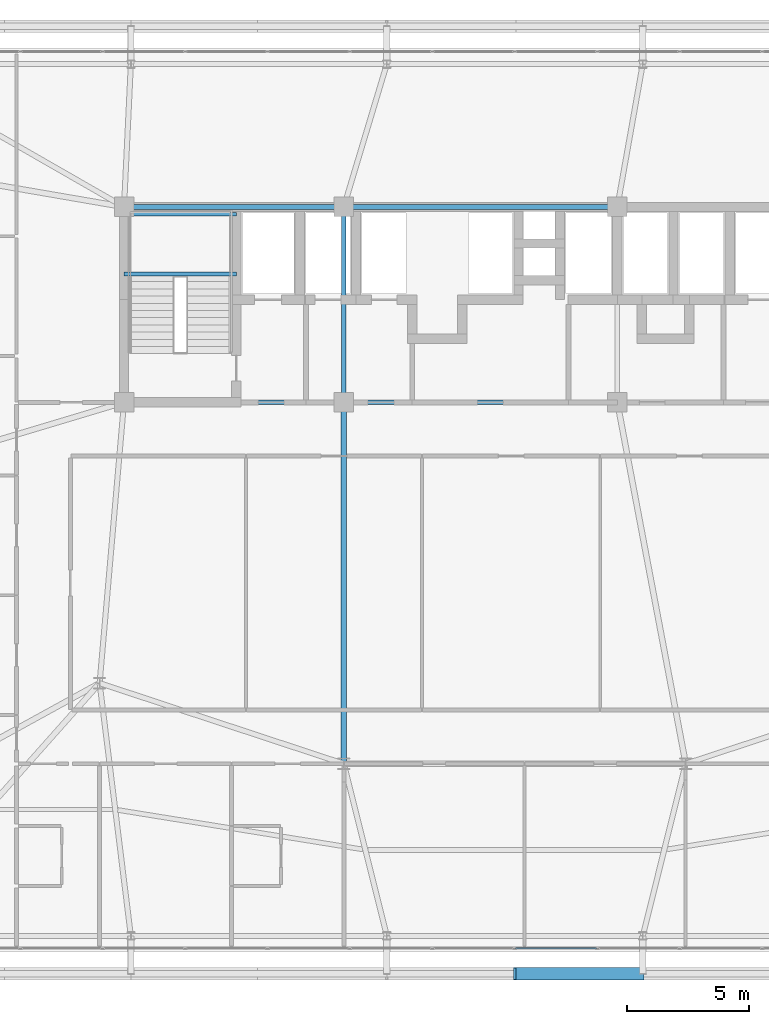
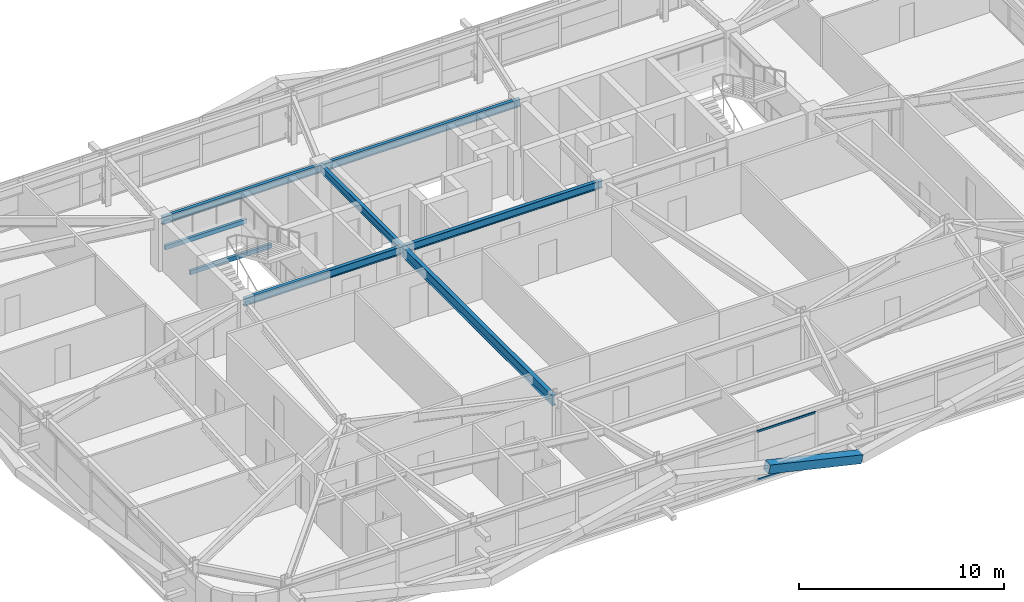
# One storey, part 19 of 58: 8 beams, 3 members, 1 element without a shape of its own.
"""IFC4 building model written with IfcOpenShell, lengths in metres."""

import ifcopenshell
import ifcopenshell.guid

model = None  # the IFC model being written
_history = None  # IfcOwnerHistory: only IFC2X3 demands one
_inside = {}  # id of a spatial element -> (the spatial element, [elements in it])
_under = {}  # id of a project, library or spatial element -> (it, [spatial elements below it])
_declared = {}  # id of a project -> (the project, [libraries it declares])
_typed = {}  # id of a type object -> (the type object, [elements of that type])
_made_of = {}  # id of a material, layer set ... -> (it, [elements and type objects made of it])


def new_model(schema):
    """Start an empty IFC model of exactly this schema.

    Asked for "IFC4X3", IfcOpenShell would pick the latest addendum, in which some entities
    have other attributes; the version numbers below select the first issue.
    IFC2X3 requires an IfcOwnerHistory on every rooted entity: one is made here for all.
    """
    global model, _history
    if schema == "IFC4X3":
        model = ifcopenshell.file(schema_version=(4, 3, 0, 0))
    else:
        model = ifcopenshell.file(schema=schema)
    _inside.clear()
    _under.clear()
    _declared.clear()
    _typed.clear()
    _made_of.clear()
    _history = None
    if model.schema == "IFC2X3":
        org = make("IfcOrganization", Name="unknown")
        user = make(
            "IfcPersonAndOrganization",
            ThePerson=make("IfcPerson", FamilyName="unknown"),
            TheOrganization=org,
        )
        app = make(
            "IfcApplication",
            ApplicationDeveloper=org,
            Version="unknown",
            ApplicationFullName="unknown",
            ApplicationIdentifier="unknown",
        )
        _history = make(
            "IfcOwnerHistory",
            OwningUser=user,
            OwningApplication=app,
            ChangeAction="ADDED",
            CreationDate=0,
        )
    return model


def make(cls, **values):
    """One entity of the class cls with the attributes given. An attribute that is None is left unset."""
    return model.create_entity(
        cls, **{name: value for name, value in values.items() if value is not None}
    )


def rooted(cls, **values):
    """An entity with a GlobalId (a new one), such as an element, a storey or a relation."""
    return make(cls, GlobalId=ifcopenshell.guid.new(), OwnerHistory=_history, **values)


def si_unit(unit_type, name, prefix=None):
    """IfcSIUnit, for example si_unit("LENGTHUNIT", "METRE", prefix="MILLI")."""
    return make("IfcSIUnit", UnitType=unit_type, Prefix=prefix, Name=name)


def assignment(units):
    """IfcUnitAssignment: the units of a project."""
    return None if units is None else make("IfcUnitAssignment", Units=units)


def point(xyz):
    """IfcCartesianPoint."""
    return None if xyz is None else make("IfcCartesianPoint", Coordinates=xyz)


def direction(xyz):
    """IfcDirection."""
    return None if xyz is None else make("IfcDirection", DirectionRatios=xyz)


def frame(location, z_axis=None, x_axis=None):
    """IfcAxis2Placement3D, a coordinate frame: its origin and axes. An axis left out is left unset."""
    return make(
        "IfcAxis2Placement3D",
        Location=point(location),
        Axis=direction(z_axis),
        RefDirection=direction(x_axis),
    )


def frame_2d(location, x_axis=None):
    """IfcAxis2Placement2D, a coordinate frame in the plane: its origin and x axis."""
    return make(
        "IfcAxis2Placement2D", Location=point(location), RefDirection=direction(x_axis)
    )


def origin():
    """The frame at (0, 0, 0) with its axes left unset."""
    return frame((0.0, 0.0, 0.0))


def origin_2d():
    """The frame at (0, 0) in the plane with its x axis left unset."""
    return frame_2d((0.0, 0.0))


def place(relative_to, where):
    """IfcLocalPlacement: puts the frame where relative to a parent placement (None: the world)."""
    return make(
        "IfcLocalPlacement", PlacementRelTo=relative_to, RelativePlacement=where
    )


def context(
    kind, dimensions, precision=None, world=None, true_north=None, identifier=None
):
    """IfcGeometricRepresentationContext, for example the 3D "Model" context."""
    return make(
        "IfcGeometricRepresentationContext",
        ContextIdentifier=identifier,
        ContextType=kind,
        CoordinateSpaceDimension=dimensions,
        Precision=precision,
        WorldCoordinateSystem=world,
        TrueNorth=true_north,
    )


def subcontext(parent, identifier, kind, view, scale=None):
    """IfcGeometricRepresentationSubContext, for example "Body" below "Model"."""
    return make(
        "IfcGeometricRepresentationSubContext",
        ContextIdentifier=identifier,
        ContextType=kind,
        ParentContext=parent,
        TargetScale=scale,
        TargetView=view,
    )


def project(units=None, contexts=None):
    """IfcProject with its units and contexts."""
    return rooted(
        "IfcProject",
        Name="project",
        RepresentationContexts=contexts,
        UnitsInContext=assignment(units),
    )


def spatial(cls, under=None, at=None, **own):
    """A site, building, storey or space (cls), placed at a placement, below another one or the project."""
    s = rooted(cls, ObjectPlacement=at, **own)
    if under is not None:
        _under.setdefault(under.id(), (under, []))[1].append(s)
    return s


def profile(cls, at=None, kind="AREA", **sizes):
    """A parametric profile (cls). Its sizes go by their IFC names, for example OverallWidth=200.0."""
    return make(cls, ProfileType=kind, Position=at, **sizes)


def hollow_rectangle(**sizes):
    """IfcRectangleHollowProfileDef."""
    return profile("IfcRectangleHollowProfileDef", **sizes)


def i_section(**sizes):
    """IfcIShapeProfileDef."""
    return profile("IfcIShapeProfileDef", **sizes)


def extrude(swept, where, along, depth):
    """IfcExtrudedAreaSolid: the profile swept, set in the frame where, extruded along a direction by depth."""
    return make(
        "IfcExtrudedAreaSolid",
        SweptArea=swept,
        Position=where,
        ExtrudedDirection=direction(along),
        Depth=depth,
    )


def shape(context_of_items, identifier, shape_type, items):
    """IfcShapeRepresentation: the items that make up one representation, for example the "Body"."""
    return make(
        "IfcShapeRepresentation",
        ContextOfItems=context_of_items,
        RepresentationIdentifier=identifier,
        RepresentationType=shape_type,
        Items=items,
    )


def source(mapping_origin, context_of_items, identifier, shape_type, items):
    """IfcRepresentationMap: a shape defined once, which mapped items show again and again."""
    return make(
        "IfcRepresentationMap",
        MappingOrigin=mapping_origin,
        MappedRepresentation=shape(context_of_items, identifier, shape_type, items),
    )


def transform(
    local_origin,
    x_axis=None,
    y_axis=None,
    z_axis=None,
    scale=None,
    scale2=None,
    scale3=None,
    uniform=True,
):
    """IfcCartesianTransformationOperator3D, or its non-uniform kind. x_axis, y_axis, z_axis: its Axis1, 2, 3."""
    if uniform:
        return make(
            "IfcCartesianTransformationOperator3D",
            Axis1=direction(x_axis),
            Axis2=direction(y_axis),
            LocalOrigin=point(local_origin),
            Scale=scale,
            Axis3=direction(z_axis),
        )
    return make(
        "IfcCartesianTransformationOperator3DnonUniform",
        Axis1=direction(x_axis),
        Axis2=direction(y_axis),
        LocalOrigin=point(local_origin),
        Scale=scale,
        Axis3=direction(z_axis),
        Scale2=scale2,
        Scale3=scale3,
    )


def mapped(mapping_source, mapping_target):
    """IfcMappedItem: shows the shape of a source again, moved by a transform."""
    return make(
        "IfcMappedItem", MappingSource=mapping_source, MappingTarget=mapping_target
    )


def material(Name=None, Category=None):
    """IfcMaterial."""
    return make("IfcMaterial", Name=Name, Category=Category)


def layer(
    of_material, thickness, ventilated=None, Name=None, Category=None, Priority=None
):
    """IfcMaterialLayer: one layer of a wall or slab, of a material (None: an air gap)."""
    return make(
        "IfcMaterialLayer",
        Material=of_material,
        LayerThickness=thickness,
        IsVentilated=ventilated,
        Name=Name,
        Category=Category,
        Priority=Priority,
    )


def layer_set(layers, Name=None):
    """IfcMaterialLayerSet."""
    return make("IfcMaterialLayerSet", MaterialLayers=layers, LayerSetName=Name)


def material_profile(
    of_material, cross_section, Name=None, Category=None, Priority=None
):
    """IfcMaterialProfile: a cross section and its material."""
    return make(
        "IfcMaterialProfile",
        Name=Name,
        Material=of_material,
        Profile=cross_section,
        Priority=Priority,
        Category=Category,
    )


def profile_set(profiles, Name=None, composite=None):
    """IfcMaterialProfileSet."""
    return make(
        "IfcMaterialProfileSet",
        Name=Name,
        MaterialProfiles=profiles,
        CompositeProfile=composite,
    )


def made_of(thing, what):
    """Note that an element or type object is made of a material, layer set ...; save() writes the relation."""
    if what is not None:
        _made_of.setdefault(what.id(), (what, []))[1].append(thing)
    return thing


def type_object(cls, material=None, **own):
    """A type object (cls), such as IfcWallType, which elements share."""
    return made_of(rooted(cls, **own), material)


def element(
    cls,
    number,
    at=None,
    inside=None,
    cuts=None,
    type_object=None,
    material=None,
    context=None,
    identifier="Body",
    shape_type=None,
    held_by="IfcProductDefinitionShape",
    body=None,
    shapes=None,
    **own,
):
    """One element of the class cls, such as IfcWall. Its Tag is "e" and its number.

    at: its placement. inside: the storey or other place that contains it. cuts: it is an
    opening in that element (IfcRelVoidsElement). A single representation is given by context,
    identifier, shape_type and body (its items); several are given by shapes. held_by: the class
    of the entity that holds the representations. save() writes the other relations.
    """
    e = rooted(cls, Tag="e%d" % number, ObjectPlacement=at, **own)
    if body is not None:
        shapes = [shape(context, identifier, shape_type, body)]
    if shapes is not None:
        e.Representation = make(held_by, Representations=shapes)
    if inside is not None:
        _inside.setdefault(inside.id(), (inside, []))[1].append(e)
    if cuts is not None:
        rooted(
            "IfcRelVoidsElement", RelatingBuildingElement=cuts, RelatedOpeningElement=e
        )
    if type_object is not None:
        _typed.setdefault(type_object.id(), (type_object, []))[1].append(e)
    return made_of(e, material)


def aggregate(whole, parts):
    """IfcRelAggregates: a whole, such as a stair, and the parts it consists of."""
    return rooted("IfcRelAggregates", RelatingObject=whole, RelatedObjects=parts)


def save(model, path):
    """Write the relations noted so far, then the file.

    IfcRelAggregates (storeys below a building ...), IfcRelContainedInSpatialStructure (elements
    in a storey), IfcRelDefinesByType, IfcRelAssociatesMaterial and IfcRelDeclares: one each for
    every whole, place, type object, material and project.
    """
    for whole, parts in _under.values():
        aggregate(whole, parts)
    for where, things in _inside.values():
        rooted(
            "IfcRelContainedInSpatialStructure",
            RelatedElements=things,
            RelatingStructure=where,
        )
    for kind, things in _typed.values():
        rooted("IfcRelDefinesByType", RelatedObjects=things, RelatingType=kind)
    for what, things in _made_of.values():
        rooted("IfcRelAssociatesMaterial", RelatedObjects=things, RelatingMaterial=what)
    for by, libraries in _declared.values():
        rooted("IfcRelDeclares", RelatingContext=by, RelatedDefinitions=libraries)
    model.write(path)


model = new_model("IFC4")

# Units and contexts
model_context = context("Model", 3, precision=1e-05, world=origin(), true_north=direction((0.0, 1.0)))
body_context = subcontext(model_context, "Body", "Model", "MODEL_VIEW")
ifc_project = project(units=[si_unit("LENGTHUNIT", "METRE"), si_unit("AREAUNIT", "SQUARE_METRE"), si_unit("VOLUMEUNIT", "CUBIC_METRE"), si_unit("PLANEANGLEUNIT", "RADIAN"), si_unit("MASSUNIT", "GRAM", prefix="KILO")], contexts=[model_context])

# Site, building, storey
site_placement = place(None, origin())
site = spatial("IfcSite", under=ifc_project, at=site_placement, CompositionType="ELEMENT")
building_placement = place(site_placement, origin())
building = spatial("IfcBuilding", under=site, at=building_placement, Name="Taldren Reach Tower", CompositionType="ELEMENT")
storey_placement = place(building_placement, frame((0.0, 0.0, 32.550048828125)))
storey = spatial("IfcBuildingStorey", under=building, at=storey_placement, Name="L09", CompositionType="ELEMENT", Elevation=32.550048828125)

# Beams
ifc_material_1 = material(Name="Steel Gr 350 (350PLUS)", Category="steel")
ifc_material_profile_1 = material_profile(ifc_material_1, i_section(OverallWidth=0.19091796875, OverallDepth=0.4599609375, WebThickness=0.010009765625, FlangeThickness=0.01611328125, at=origin_2d()), Name="460UB82.1")
ifc_profile_set_1 = profile_set([ifc_material_profile_1], Name="Steel Gr 350 (350PLUS)")
beam_type_1 = type_object("IfcBeamType", Name="BM-UB460A", PredefinedType="BEAM", material=ifc_profile_set_1)
shared_shape_1 = source(origin(), body_context, "Body", "SweptSolid", [
    extrude(i_section(OverallWidth=0.19091796875, OverallDepth=0.4599609375, WebThickness=0.010009765625, FlangeThickness=0.01611328125, at=origin_2d()), origin(), (0.0, 0.0, 1.0), 9.0),
])
for number, where, z_axis, x_axis, name in (
    (1, (19.0, 24.0, 2.699951171875), (1.0, 0.0, 0.0), (0.0, 1.0, 0.0), "Core-spine girder L09-SP01"),
    (2, (19.0, 32.0, 2.699951171875), (1.0, 0.0, 0.0), (0.0, 1.0, 0.0), "Core-spine girder L09-SP04"),
):
    element("IfcBeam", number, at=place(storey_placement, frame(where, z_axis=z_axis, x_axis=x_axis)), inside=storey, type_object=beam_type_1, Name=name, PredefinedType="BEAM", context=body_context, shape_type="MappedRepresentation", body=[
        mapped(shared_shape_1, transform((0.0, 0.0, 0.0), scale=1.0)),
    ])
shared_shape_2 = source(origin(), body_context, "Body", "SweptSolid", [
    extrude(i_section(OverallWidth=0.19091796875, OverallDepth=0.4599609375, WebThickness=0.010009765625, FlangeThickness=0.01611328125, at=origin_2d()), origin(), (0.0, 0.0, 1.0), 11.199951171875),
])
for number, where, z_axis, x_axis, name in (
    (3, (28.0, 24.0, 2.699951171875), (1.0, 0.0, 0.0), (0.0, 1.0, 0.0), "Core-spine girder L09-SP02"),
    (4, (28.0, 32.0, 2.699951171875), (1.0, 0.0, 0.0), (0.0, 1.0, 0.0), "Core-spine girder L09-SP05"),
):
    element("IfcBeam", number, at=place(storey_placement, frame(where, z_axis=z_axis, x_axis=x_axis)), inside=storey, type_object=beam_type_1, Name=name, PredefinedType="BEAM", context=body_context, shape_type="MappedRepresentation", body=[
        mapped(shared_shape_2, transform((0.0, 0.0, 0.0), scale=1.0)),
    ])
shared_shape_3 = source(origin(), body_context, "Body", "SweptSolid", [
    extrude(i_section(OverallWidth=0.19091796875, OverallDepth=0.4599609375, WebThickness=0.010009765625, FlangeThickness=0.01611328125, at=origin_2d()), origin(), (0.0, 0.0, 1.0), 8.0),
])
beam_1_placement = place(storey_placement, frame((28.0, 24.0, 2.699951171875), z_axis=(0.0, 1.0, 0.0), x_axis=(-1.0, 0.0, 0.0)))
element("IfcBeam", 5, at=beam_1_placement, inside=storey, type_object=beam_type_1, Name="Core-spine girder L09-SP07", PredefinedType="BEAM", context=body_context, shape_type="MappedRepresentation", body=[
    mapped(shared_shape_3, transform((0.0, 0.0, 0.0), scale=1.0)),
])
ifc_material_profile_2 = material_profile(ifc_material_1, i_section(OverallWidth=0.22802734375, OverallDepth=0.60205078125, WebThickness=0.010498046875, FlangeThickness=0.014892578125, at=origin_2d()), Name="610UB101")
ifc_profile_set_2 = profile_set([ifc_material_profile_2], Name="Steel Gr 350 (350PLUS)")
beam_type_2 = type_object("IfcBeamType", Name="BM-UB610B", PredefinedType="BEAM", material=ifc_profile_set_2)
shared_shape_4 = source(origin(), body_context, "Body", "SweptSolid", [
    extrude(i_section(OverallWidth=0.22802734375, OverallDepth=0.60205078125, WebThickness=0.010498046875, FlangeThickness=0.014892578125, at=origin_2d()), origin(), (0.0, 0.0, 1.0), 14.800048828125),
])
beam_2_placement = place(storey_placement, frame((28.0, 24.0, 2.62890625), z_axis=(0.0, -1.0, 0.0), x_axis=(1.0, 0.0, 0.0)))
element("IfcBeam", 6, at=beam_2_placement, inside=storey, type_object=beam_type_2, Name="Core-spine girder L09-SP14", PredefinedType="BEAM", context=body_context, shape_type="MappedRepresentation", body=[
    mapped(shared_shape_4, transform((0.0, 0.0, 0.0), scale=1.0)),
])

# Member
ifc_material_2 = material(Name="Steel Gr 450 (C450L0)", Category="steel")
ifc_material_profile_3 = material_profile(ifc_material_2, hollow_rectangle(XDim=0.510009765625, YDim=0.510009765625, WallThickness=0.02001953125, at=origin_2d()), Name="510x510x20.0SHS")
ifc_profile_set_3 = profile_set([ifc_material_profile_3], Name="Steel Gr 450 (C450L0)")
member_type_1 = type_object("IfcMemberType", Name="MB-EXO508", PredefinedType="BRACE", material=ifc_profile_set_3)
shared_shape_5 = source(origin(), body_context, "Body", "SweptSolid", [
    extrude(hollow_rectangle(XDim=0.510009765625, YDim=0.510009765625, WallThickness=0.02001953125, at=origin_2d()), origin(), (0.0, 0.0, 1.0), 5.37890625),
])
member_1_placement = place(storey_placement, frame((40.239990234375, 0.60009765625, 0.219970703125), z_axis=(-0.97415197996, 0.0, 0.225893603143), x_axis=(0.0, -1.0, 0.0)))
element("IfcMember", 7, at=member_1_placement, inside=storey, type_object=member_type_1, Name="Exoskeleton Diagrid Brace B1-S3 L09", PredefinedType="BRACE", context=body_context, shape_type="MappedRepresentation", body=[
    mapped(shared_shape_5, transform((0.0, 0.0, 0.0), scale=1.0)),
])

# Curtain wall, members
ifc_material_3 = material(Name="Aluminium and Low-E Glass Unitised System", Category="aluminium")
ifc_layer = layer(ifc_material_3, 0.159912109375)
ifc_layer_set = layer_set([ifc_layer], Name="Aluminium and Low-E Glass Unitised System")
curtain_wall_type = type_object("IfcCurtainWallType", Name="CW-SYS-2", PredefinedType="NOTDEFINED", material=ifc_layer_set)
curtain_wall_placement = place(storey_placement, origin())
curtain_wall = element("IfcCurtainWall", 8, at=curtain_wall_placement, inside=storey, type_object=curtain_wall_type, Name="Unitised curtain wall CW-L09-S", PredefinedType="NOTDEFINED")
ifc_material_4 = material(Name="Anodised Aluminium 6063-T6", Category="aluminium")
ifc_material_profile_4 = material_profile(ifc_material_4, hollow_rectangle(XDim=0.054931640625, YDim=0.1201171875, WallThickness=0.0029296875, at=origin_2d()), Name="ALU-120x55x3RHS")
ifc_profile_set_4 = profile_set([ifc_material_profile_4], Name="Anodised Aluminium 6063-T6")
member_type_2 = type_object("IfcMemberType", Name="CW-TRN-135", PredefinedType="USERDEFINED", material=ifc_profile_set_4)
shared_shape_6 = source(origin(), body_context, "Body", "SweptSolid", [
    extrude(hollow_rectangle(XDim=0.054931640625, YDim=0.1201171875, WallThickness=0.0029296875, at=origin_2d()), origin(), (0.0, 0.0, 1.0), 3.31005859375),
])
member_2_placement = place(storey_placement, frame((35.032470703125, 1.639892578125, 0.02734375), z_axis=(1.0, 0.0, 0.0), x_axis=(0.0, 1.0, 0.0)))
member_2 = element("IfcMember", 9, at=member_2_placement, type_object=member_type_2, Name="CW-2 transom 9.1", ObjectType="TRANSOM", PredefinedType="USERDEFINED", context=body_context, shape_type="MappedRepresentation", body=[
    mapped(shared_shape_6, transform((0.0, 0.0, 0.0), scale=1.0)),
])
member_3_placement = place(storey_placement, frame((35.032470703125, 1.639892578125, 2.90234375), z_axis=(1.0, 0.0, 0.0), x_axis=(0.0, 1.0, 0.0)))
member_3 = element("IfcMember", 10, at=member_3_placement, type_object=member_type_2, Name="CW-2 transom 9.2", ObjectType="TRANSOM", PredefinedType="USERDEFINED", context=body_context, shape_type="MappedRepresentation", body=[
    mapped(shared_shape_6, transform((0.0, 0.0, 0.0), scale=1.0)),
])
aggregate(curtain_wall, [member_2, member_3])

# Beams
ifc_material_5 = material(Name="Steel Gr 350 (C350L0)", Category="steel")
ifc_material_profile_5 = material_profile(ifc_material_5, hollow_rectangle(XDim=0.14990234375, YDim=0.25, WallThickness=0.009033203125, at=origin_2d()), Name="250x150x9.0RHS")
ifc_profile_set_5 = profile_set([ifc_material_profile_5], Name="Steel Gr 350 (C350L0)")
beam_type_3 = type_object("IfcBeamType", Name="LN-RHS250", PredefinedType="LINTEL", material=ifc_profile_set_5)
shared_shape_7 = source(origin(), body_context, "Body", "SweptSolid", [
    extrude(hollow_rectangle(XDim=0.14990234375, YDim=0.25, WallThickness=0.009033203125, at=origin_2d()), origin(), (0.0, 0.0, 1.0), 4.60009765625),
])
for number, where, z_axis, x_axis, name in (
    (11, (19.0, 29.2548828125, 1.27001953125), (1.0, 0.0, 0.0), (0.0, 1.0, 0.0), "Stair half-landing support beam ST1-L09-1"),
    (12, (19.0, 31.699951171875, 1.27001953125), (1.0, 0.0, 0.0), (0.0, 1.0, 0.0), "Stair half-landing support beam ST1-L09-2"),
):
    element("IfcBeam", number, at=place(storey_placement, frame(where, z_axis=z_axis, x_axis=x_axis)), inside=storey, type_object=beam_type_3, Name=name, PredefinedType="LINTEL", context=body_context, shape_type="MappedRepresentation", body=[
        mapped(shared_shape_7, transform((0.0, 0.0, 0.0), scale=1.0)),
    ])

save(model, "model.ifc")
